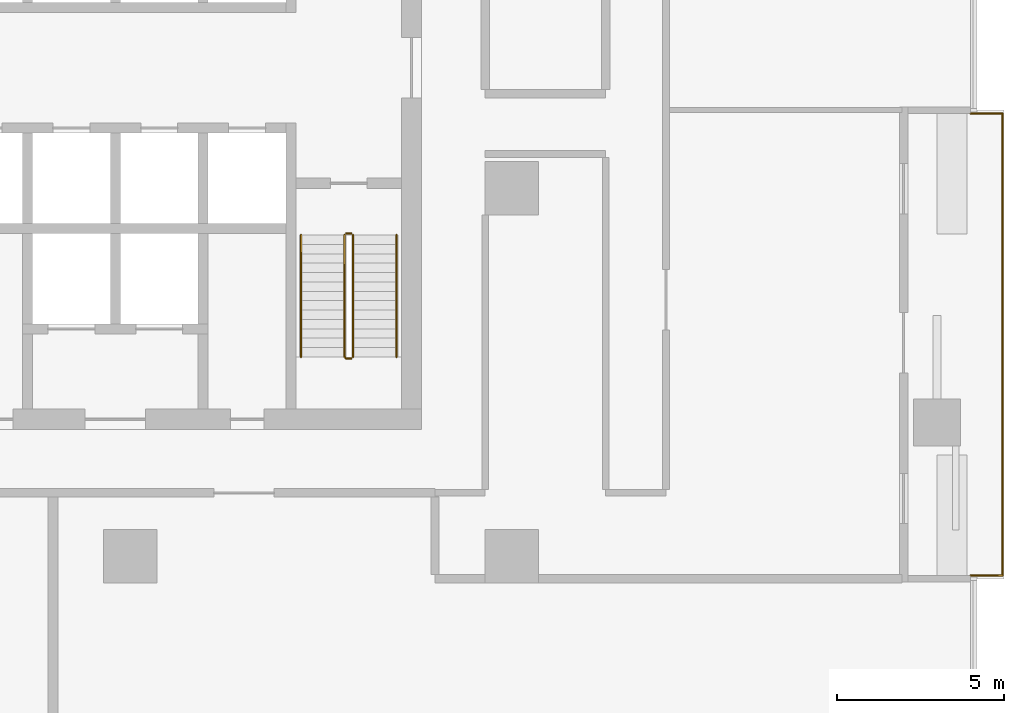
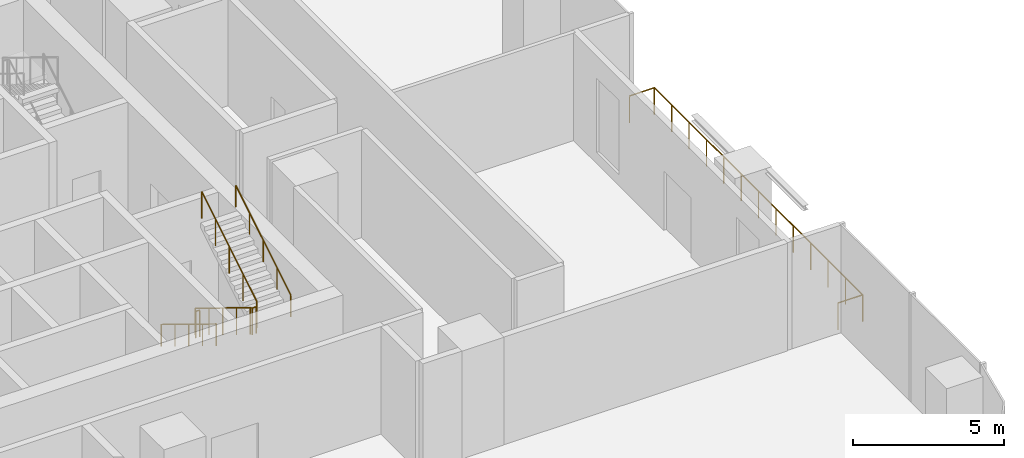
# One storey, part 13 of 14: 6 railings.
"""IFC4 building model written with IfcOpenShell, lengths in metres."""

from ifc_helpers import new_model, si_unit, direction, frame, origin, origin_2d, place, context, subcontext, project, spatial, circle, extrude, material, type_object, element, save


model = new_model("IFC4")

# Units and contexts
model_context = context("Model", 3, precision=1e-05, world=origin(), true_north=direction((0.0, 1.0)))
body_context = subcontext(model_context, "Body", "Model", "MODEL_VIEW")
ifc_project = project(units=[si_unit("LENGTHUNIT", "METRE"), si_unit("AREAUNIT", "SQUARE_METRE"), si_unit("VOLUMEUNIT", "CUBIC_METRE"), si_unit("PLANEANGLEUNIT", "RADIAN"), si_unit("MASSUNIT", "GRAM", prefix="KILO")], contexts=[model_context])

# Site, building, storey
site_placement = place(None, origin())
site = spatial("IfcSite", under=ifc_project, at=site_placement, CompositionType="ELEMENT")
building_placement = place(site_placement, origin())
building = spatial("IfcBuilding", under=site, at=building_placement, Name="Mopane Tessera Tower", CompositionType="ELEMENT")
storey_placement = place(building_placement, frame((0.0, 0.0, 40.60009765625)))
storey = spatial("IfcBuildingStorey", under=building, at=storey_placement, Name="L07", CompositionType="ELEMENT", Elevation=40.60009765625)

# Railings
ifc_material_1 = material(Name="Powder-coated steel balustrade", Category="steel")
railing_type_1 = type_object("IfcRailingType", Name="Escape stair guard 1100 mm", PredefinedType="GUARDRAIL", material=ifc_material_1)
railing_1_placement = place(storey_placement, frame((12.10009765625, -1.39990234375, 0.17138671875)))
element("IfcRailing", 1, at=railing_1_placement, inside=storey, type_object=railing_type_1, Name="L07 ST3 stair guard 1", PredefinedType="GUARDRAIL", context=body_context, shape_type="SweptSolid", body=[
    extrude(circle(Radius=0.02392578125, at=origin_2d()), frame((0.0, 0.0, 1.076171875), z_axis=(0.0, -0.852865859571, 0.52213008492), x_axis=(1.0, 0.0, 0.0)), (0.0, 0.0, 1.0), 4.26806640625),
    extrude(circle(Radius=0.02392578125, at=origin_2d()), frame((0.0, -3.64013671875, 3.3046875), z_axis=(0.705375805398, -0.708833529934, 0.0), x_axis=(0.708833529934, 0.705375805398, 0.0)), (0.0, 0.0, 1.0), 0.070556640625),
    extrude(circle(Radius=0.02392578125, at=origin_2d()), frame((0.0498046875, -3.690185546875, 3.3046875), z_axis=(1.0, 0.0, 0.0), x_axis=(0.0, 1.0, 0.0)), (0.0, 0.0, 1.0), 0.150146484375),
    extrude(circle(Radius=0.02099609375, at=origin_2d()), origin(), (0.0, 0.0, 1.0), 1.052001953125),
    extrude(circle(Radius=0.02099609375, at=origin_2d()), frame((0.0, -0.91015625, 0.55712890625)), (0.0, 0.0, 1.0), 1.052001953125),
    extrude(circle(Radius=0.02099609375, at=origin_2d()), frame((0.0, -1.820068359375, 1.1142578125)), (0.0, 0.0, 1.0), 1.052001953125),
    extrude(circle(Radius=0.02099609375, at=origin_2d()), frame((0.0, -2.72998046875, 1.67138671875)), (0.0, 0.0, 1.0), 1.052001953125),
    extrude(circle(Radius=0.02099609375, at=origin_2d()), frame((0.0, -3.64013671875, 2.228515625)), (0.0, 0.0, 1.0), 1.052001953125),
    extrude(circle(Radius=0.02099609375, at=origin_2d()), frame((0.0498046875, -3.690185546875, 2.228515625)), (0.0, 0.0, 1.0), 1.052001953125),
    extrude(circle(Radius=0.02099609375, at=origin_2d()), frame((0.199951171875, -3.690185546875, 2.228515625)), (0.0, 0.0, 1.0), 1.052001953125),
])
railing_2_placement = place(storey_placement, frame((12.35009765625, -5.0400390625, 2.5712890625)))
element("IfcRailing", 2, at=railing_2_placement, inside=storey, type_object=railing_type_1, Name="L07 ST3 stair guard 2", PredefinedType="GUARDRAIL", context=body_context, shape_type="SweptSolid", body=[
    extrude(circle(Radius=0.02392578125, at=origin_2d()), frame((0.0, 0.0, 1.076171875), z_axis=(0.0, 0.852865859571, 0.52213008492), x_axis=(-1.0, 0.0, 0.0)), (0.0, 0.0, 1.0), 4.26806640625),
    extrude(circle(Radius=0.02099609375, at=origin_2d()), origin(), (0.0, 0.0, 1.0), 1.052001953125),
    extrude(circle(Radius=0.02099609375, at=origin_2d()), frame((0.0, 0.91015625, 0.55712890625)), (0.0, 0.0, 1.0), 1.052001953125),
    extrude(circle(Radius=0.02099609375, at=origin_2d()), frame((0.0, 1.820068359375, 1.1142578125)), (0.0, 0.0, 1.0), 1.052001953125),
    extrude(circle(Radius=0.02099609375, at=origin_2d()), frame((0.0, 2.72998046875, 1.67138671875)), (0.0, 0.0, 1.0), 1.052001953125),
    extrude(circle(Radius=0.02099609375, at=origin_2d()), frame((0.0, 3.64013671875, 2.228515625)), (0.0, 0.0, 1.0), 1.052001953125),
])
railing_3_placement = place(storey_placement, frame((12.14990234375, -1.35009765625, 0.0)))
element("IfcRailing", 3, at=railing_3_placement, inside=storey, type_object=railing_type_1, Name="L07 ST3 stair guard 3", PredefinedType="GUARDRAIL", context=body_context, shape_type="SweptSolid", body=[
    extrude(circle(Radius=0.02392578125, at=origin_2d()), frame((0.0, 0.0, 1.076171875), z_axis=(1.0, 0.0, 0.0), x_axis=(0.0, 1.0, 0.0)), (0.0, 0.0, 1.0), 0.150146484375),
    extrude(circle(Radius=0.02099609375, at=origin_2d()), origin(), (0.0, 0.0, 1.0), 1.052001953125),
    extrude(circle(Radius=0.02099609375, at=origin_2d()), frame((0.150146484375, 0.0, 0.0)), (0.0, 0.0, 1.0), 1.052001953125),
])
ifc_material_2 = material(Name="Powder-coated steel balustrade", Category="steel")
railing_type_2 = type_object("IfcRailingType", Name="Escape stair handrail 900 mm", PredefinedType="HANDRAIL", material=ifc_material_2)
railing_4_placement = place(storey_placement, frame((10.800048828125, -1.39990234375, 0.17138671875)))
element("IfcRailing", 4, at=railing_4_placement, inside=storey, type_object=railing_type_2, Name="L07 ST3 stair handrail 1", PredefinedType="HANDRAIL", context=body_context, shape_type="SweptSolid", body=[
    extrude(circle(Radius=0.02392578125, at=origin_2d()), frame((0.0, 0.0, 0.8759765625), z_axis=(0.0, -0.852865859571, 0.52213008492), x_axis=(1.0, 0.0, 0.0)), (0.0, 0.0, 1.0), 4.26806640625),
    extrude(circle(Radius=0.02099609375, at=origin_2d()), origin(), (0.0, 0.0, 1.0), 0.851806640625),
    extrude(circle(Radius=0.02099609375, at=origin_2d()), frame((0.0, -0.91015625, 0.55712890625)), (0.0, 0.0, 1.0), 0.851806640625),
    extrude(circle(Radius=0.02099609375, at=origin_2d()), frame((0.0, -1.820068359375, 1.1142578125)), (0.0, 0.0, 1.0), 0.851806640625),
    extrude(circle(Radius=0.02099609375, at=origin_2d()), frame((0.0, -2.72998046875, 1.67138671875)), (0.0, 0.0, 1.0), 0.851806640625),
    extrude(circle(Radius=0.02099609375, at=origin_2d()), frame((0.0, -3.64013671875, 2.228515625)), (0.0, 0.0, 1.0), 0.851806640625),
])
railing_5_placement = place(storey_placement, frame((13.64990234375, -5.0400390625, 2.5712890625)))
element("IfcRailing", 5, at=railing_5_placement, inside=storey, type_object=railing_type_2, Name="L07 ST3 stair handrail 2", PredefinedType="HANDRAIL", context=body_context, shape_type="SweptSolid", body=[
    extrude(circle(Radius=0.02392578125, at=origin_2d()), frame((0.0, 0.0, 0.8759765625), z_axis=(0.0, 0.852865859571, 0.52213008492), x_axis=(-1.0, 0.0, 0.0)), (0.0, 0.0, 1.0), 4.26806640625),
    extrude(circle(Radius=0.02099609375, at=origin_2d()), origin(), (0.0, 0.0, 1.0), 0.851806640625),
    extrude(circle(Radius=0.02099609375, at=origin_2d()), frame((0.0, 0.91015625, 0.55712890625)), (0.0, 0.0, 1.0), 0.851806640625),
    extrude(circle(Radius=0.02099609375, at=origin_2d()), frame((0.0, 1.820068359375, 1.1142578125)), (0.0, 0.0, 1.0), 0.851806640625),
    extrude(circle(Radius=0.02099609375, at=origin_2d()), frame((0.0, 2.72998046875, 1.67138671875)), (0.0, 0.0, 1.0), 0.851806640625),
    extrude(circle(Radius=0.02099609375, at=origin_2d()), frame((0.0, 3.64013671875, 2.228515625)), (0.0, 0.0, 1.0), 0.851806640625),
])
ifc_material_3 = material(Name="Stainless steel S316", Category="steel")
railing_type_3 = type_object("IfcRailingType", Name="Terrace guard 1100", PredefinedType="GUARDRAIL", material=ifc_material_3)
railing_6_placement = place(storey_placement, frame((30.800048828125, -11.566650390625, 0.0)))
element("IfcRailing", 6, at=railing_6_placement, inside=storey, type_object=railing_type_3, Name="e:nw:L07:N1:guard", PredefinedType="GUARDRAIL", context=body_context, shape_type="SweptSolid", body=[
    extrude(circle(Radius=0.02392578125, at=origin_2d()), frame((0.0, 0.0, 1.076171875), z_axis=(1.0, 0.0, 0.0), x_axis=(0.0, 1.0, 0.0)), (0.0, 0.0, 1.0), 0.949951171875),
    extrude(circle(Radius=0.02392578125, at=origin_2d()), frame((0.949951171875, 0.0, 1.076171875), z_axis=(0.0, 1.0, 0.0), x_axis=(-1.0, 0.0, 0.0)), (0.0, 0.0, 1.0), 13.800048828125),
    extrude(circle(Radius=0.02392578125, at=origin_2d()), frame((0.949951171875, 13.800048828125, 1.076171875), z_axis=(-1.0, 0.0, 0.0), x_axis=(0.0, -1.0, 0.0)), (0.0, 0.0, 1.0), 0.949951171875),
    extrude(circle(Radius=0.02099609375, at=origin_2d()), origin(), (0.0, 0.0, 1.0), 1.052001953125),
    extrude(circle(Radius=0.02099609375, at=origin_2d()), frame((0.949951171875, 0.0, 0.0)), (0.0, 0.0, 1.0), 1.052001953125),
    extrude(circle(Radius=0.02099609375, at=origin_2d()), frame((0.949951171875, 1.14990234375, 0.0)), (0.0, 0.0, 1.0), 1.052001953125),
    extrude(circle(Radius=0.02099609375, at=origin_2d()), frame((0.949951171875, 2.300048828125, 0.0)), (0.0, 0.0, 1.0), 1.052001953125),
    extrude(circle(Radius=0.02099609375, at=origin_2d()), frame((0.949951171875, 3.449951171875, 0.0)), (0.0, 0.0, 1.0), 1.052001953125),
    extrude(circle(Radius=0.02099609375, at=origin_2d()), frame((0.949951171875, 4.60009765625, 0.0)), (0.0, 0.0, 1.0), 1.052001953125),
    extrude(circle(Radius=0.02099609375, at=origin_2d()), frame((0.949951171875, 5.75, 0.0)), (0.0, 0.0, 1.0), 1.052001953125),
    extrude(circle(Radius=0.02099609375, at=origin_2d()), frame((0.949951171875, 6.89990234375, 0.0)), (0.0, 0.0, 1.0), 1.052001953125),
    extrude(circle(Radius=0.02099609375, at=origin_2d()), frame((0.949951171875, 8.050048828125, 0.0)), (0.0, 0.0, 1.0), 1.052001953125),
    extrude(circle(Radius=0.02099609375, at=origin_2d()), frame((0.949951171875, 9.199951171875, 0.0)), (0.0, 0.0, 1.0), 1.052001953125),
    extrude(circle(Radius=0.02099609375, at=origin_2d()), frame((0.949951171875, 10.35009765625, 0.0)), (0.0, 0.0, 1.0), 1.052001953125),
    extrude(circle(Radius=0.02099609375, at=origin_2d()), frame((0.949951171875, 11.5, 0.0)), (0.0, 0.0, 1.0), 1.052001953125),
    extrude(circle(Radius=0.02099609375, at=origin_2d()), frame((0.949951171875, 12.650146484375, 0.0)), (0.0, 0.0, 1.0), 1.052001953125),
    extrude(circle(Radius=0.02099609375, at=origin_2d()), frame((0.949951171875, 13.800048828125, 0.0)), (0.0, 0.0, 1.0), 1.052001953125),
    extrude(circle(Radius=0.02099609375, at=origin_2d()), frame((0.0, 13.800048828125, 0.0)), (0.0, 0.0, 1.0), 1.052001953125),
])

save(model, "model.ifc")
